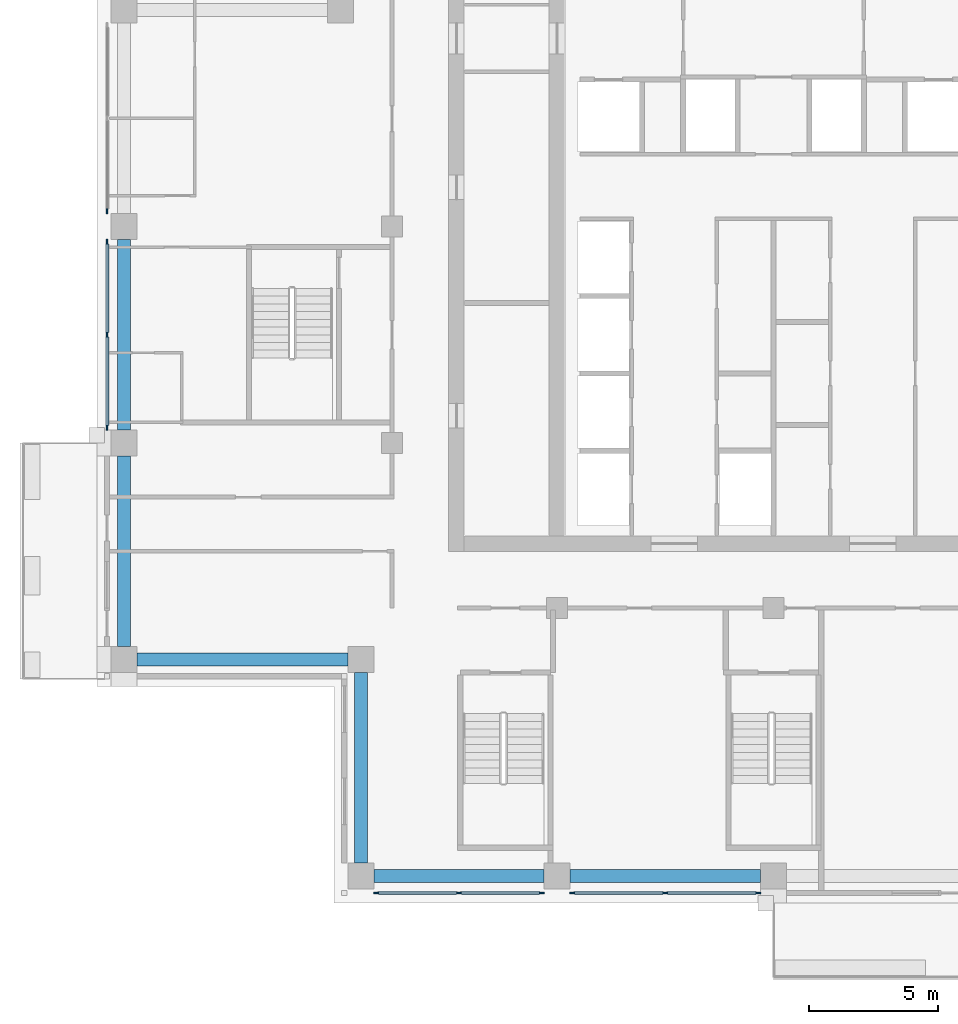
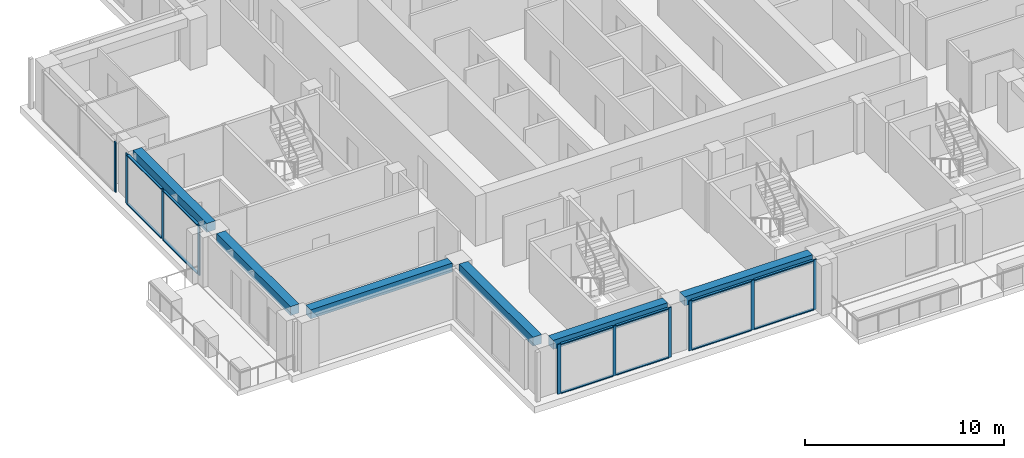
# One storey, part 2 of 17: 22 members, 6 beams, 4 elements without a shape of their own.
"""IFC4 building model written with IfcOpenShell, lengths in metres."""

from ifc_helpers import new_model, si_unit, direction, frame, origin, origin_2d, place, context, subcontext, project, spatial, rectangle, extrude, material, material_profile, profile_set, type_object, element, aggregate, save


model = new_model("IFC4")

# Units and contexts
model_context = context("Model", 3, precision=1e-05, world=origin(), true_north=direction((0.0, 1.0)))
body_context = subcontext(model_context, "Body", "Model", "MODEL_VIEW")
ifc_project = project(units=[si_unit("LENGTHUNIT", "METRE"), si_unit("AREAUNIT", "SQUARE_METRE"), si_unit("VOLUMEUNIT", "CUBIC_METRE"), si_unit("PLANEANGLEUNIT", "RADIAN"), si_unit("MASSUNIT", "GRAM", prefix="KILO")], contexts=[model_context])

# Site, building, storey
site_placement = place(None, origin())
site = spatial("IfcSite", under=ifc_project, at=site_placement, CompositionType="ELEMENT")
building_placement = place(site_placement, origin())
building = spatial("IfcBuilding", under=site, at=building_placement, Name="Vermilion Ogive Tower", CompositionType="ELEMENT")
storey_placement = place(building_placement, frame((0.0, 0.0, 189.35009765625)))
storey = spatial("IfcBuildingStorey", under=building, at=storey_placement, Name="L49", CompositionType="ELEMENT", Elevation=189.35009765625)

# Curtain wall, members
ifc_material_1 = material(Name="Low-iron laminated glazing in aluminium frame", Category="aluminium")
curtain_wall_type = type_object("IfcCurtainWallType", Name="Curtain wall CW7", PredefinedType="NOTDEFINED", material=ifc_material_1)
curtain_wall_1_placement = place(storey_placement, origin())
curtain_wall_1 = element("IfcCurtainWall", 1, at=curtain_wall_1_placement, inside=storey, type_object=curtain_wall_type, Name="Glazed skin S1", PredefinedType="NOTDEFINED")
ifc_material_2 = material(Name="Aluminium mullion", Category="aluminium")
ifc_material_profile_1 = material_profile(ifc_material_2, rectangle(XDim=0.06005859375, YDim=0.179931640625, at=origin_2d()), Name="AL 60x180")
ifc_profile_set_1 = profile_set([ifc_material_profile_1], Name="Aluminium mullion")
member_type_1 = type_object("IfcMemberType", Name="CW7 mullion 60x180", PredefinedType="MULLION", material=ifc_profile_set_1)
member_1_placement = place(storey_placement, frame((-15.409912109375, -21.64990234375, 0.0), z_axis=(0.0, 0.0, 1.0), x_axis=(0.0, 1.0, 0.0)))
member_1 = element("IfcMember", 2, at=member_1_placement, type_object=member_type_1, Name="CW7-S1 mullion 1", PredefinedType="MULLION", context=body_context, shape_type="SweptSolid", body=[
    extrude(rectangle(XDim=0.06005859375, YDim=0.179931640625, at=origin_2d()), origin(), (0.0, 0.0, 1.0), 3.0498046875),
])
member_2_placement = place(storey_placement, frame((-12.199951171875, -21.64990234375, 0.0), z_axis=(0.0, 0.0, 1.0), x_axis=(0.0, 1.0, 0.0)))
member_2 = element("IfcMember", 3, at=member_2_placement, type_object=member_type_1, Name="CW7-S1 mullion 2", PredefinedType="MULLION", context=body_context, shape_type="SweptSolid", body=[
    extrude(rectangle(XDim=0.06005859375, YDim=0.179931640625, at=origin_2d()), origin(), (0.0, 0.0, 1.0), 3.0498046875),
])
member_3_placement = place(storey_placement, frame((-8.989990234375, -21.64990234375, 0.0), z_axis=(0.0, 0.0, 1.0), x_axis=(0.0, 1.0, 0.0)))
member_3 = element("IfcMember", 4, at=member_3_placement, type_object=member_type_1, Name="CW7-S1 mullion 3", PredefinedType="MULLION", context=body_context, shape_type="SweptSolid", body=[
    extrude(rectangle(XDim=0.06005859375, YDim=0.179931640625, at=origin_2d()), origin(), (0.0, 0.0, 1.0), 3.0498046875),
])

curtain_wall_2_placement = place(storey_placement, origin())
curtain_wall_2 = element("IfcCurtainWall", 5, at=curtain_wall_2_placement, inside=storey, type_object=curtain_wall_type, Name="Glazed skin S2", PredefinedType="NOTDEFINED")
member_4_placement = place(storey_placement, frame((-7.81005859375, -21.64990234375, 0.0), z_axis=(0.0, 0.0, 1.0), x_axis=(0.0, 1.0, 0.0)))
member_4 = element("IfcMember", 6, at=member_4_placement, type_object=member_type_1, Name="CW7-S2 mullion 1", PredefinedType="MULLION", context=body_context, shape_type="SweptSolid", body=[
    extrude(rectangle(XDim=0.06005859375, YDim=0.179931640625, at=origin_2d()), origin(), (0.0, 0.0, 1.0), 3.0498046875),
])
member_5_placement = place(storey_placement, frame((-4.199951171875, -21.64990234375, 0.0), z_axis=(0.0, 0.0, 1.0), x_axis=(0.0, 1.0, 0.0)))
member_5 = element("IfcMember", 7, at=member_5_placement, type_object=member_type_1, Name="CW7-S2 mullion 2", PredefinedType="MULLION", context=body_context, shape_type="SweptSolid", body=[
    extrude(rectangle(XDim=0.06005859375, YDim=0.179931640625, at=origin_2d()), origin(), (0.0, 0.0, 1.0), 3.0498046875),
])
member_6_placement = place(storey_placement, frame((-0.590087890625, -21.64990234375, 0.0), z_axis=(0.0, 0.0, 1.0), x_axis=(0.0, 1.0, 0.0)))
member_6 = element("IfcMember", 8, at=member_6_placement, type_object=member_type_1, Name="CW7-S2 mullion 3", PredefinedType="MULLION", context=body_context, shape_type="SweptSolid", body=[
    extrude(rectangle(XDim=0.06005859375, YDim=0.179931640625, at=origin_2d()), origin(), (0.0, 0.0, 1.0), 3.0498046875),
])

# Curtain wall, member
curtain_wall_3_placement = place(storey_placement, origin())
curtain_wall_3 = element("IfcCurtainWall", 9, at=curtain_wall_3_placement, inside=storey, type_object=curtain_wall_type, Name="Glazed skin W1", PredefinedType="NOTDEFINED")
member_7_placement = place(storey_placement, frame((-25.85009765625, 4.7900390625, 0.0), z_axis=(0.0, 0.0, 1.0), x_axis=(1.0, 0.0, 0.0)))
member_7 = element("IfcMember", 10, at=member_7_placement, type_object=member_type_1, Name="CW7-W1 mullion 3", PredefinedType="MULLION", context=body_context, shape_type="SweptSolid", body=[
    extrude(rectangle(XDim=0.06005859375, YDim=0.179931640625, at=origin_2d()), origin(), (0.0, 0.0, 1.0), 3.0498046875),
])
aggregate(curtain_wall_3, [member_7])

# Curtain wall, members
curtain_wall_4_placement = place(storey_placement, origin())
curtain_wall_4 = element("IfcCurtainWall", 11, at=curtain_wall_4_placement, inside=storey, type_object=curtain_wall_type, Name="Glazed skin W2", PredefinedType="NOTDEFINED")
member_8_placement = place(storey_placement, frame((-25.85009765625, 3.610107421875, 0.0), z_axis=(0.0, 0.0, 1.0), x_axis=(1.0, 0.0, 0.0)))
member_8 = element("IfcMember", 12, at=member_8_placement, type_object=member_type_1, Name="CW7-W2 mullion 1", PredefinedType="MULLION", context=body_context, shape_type="SweptSolid", body=[
    extrude(rectangle(XDim=0.06005859375, YDim=0.179931640625, at=origin_2d()), origin(), (0.0, 0.0, 1.0), 3.0498046875),
])
member_9_placement = place(storey_placement, frame((-25.85009765625, 0.0, 0.0), z_axis=(0.0, 0.0, 1.0), x_axis=(1.0, 0.0, 0.0)))
member_9 = element("IfcMember", 13, at=member_9_placement, type_object=member_type_1, Name="CW7-W2 mullion 2", PredefinedType="MULLION", context=body_context, shape_type="SweptSolid", body=[
    extrude(rectangle(XDim=0.06005859375, YDim=0.179931640625, at=origin_2d()), origin(), (0.0, 0.0, 1.0), 3.0498046875),
])
member_10_placement = place(storey_placement, frame((-25.85009765625, -3.610107421875, 0.0), z_axis=(0.0, 0.0, 1.0), x_axis=(1.0, 0.0, 0.0)))
member_10 = element("IfcMember", 14, at=member_10_placement, type_object=member_type_1, Name="CW7-W2 mullion 3", PredefinedType="MULLION", context=body_context, shape_type="SweptSolid", body=[
    extrude(rectangle(XDim=0.06005859375, YDim=0.179931640625, at=origin_2d()), origin(), (0.0, 0.0, 1.0), 3.0498046875),
])

# Member
ifc_material_3 = material(Name="Aluminium transom", Category="aluminium")
ifc_material_profile_2 = material_profile(ifc_material_3, rectangle(XDim=0.139892578125, YDim=0.06005859375, at=origin_2d()), Name="AL 60x140")
ifc_profile_set_2 = profile_set([ifc_material_profile_2], Name="Aluminium transom")
member_type_2 = type_object("IfcMemberType", Name="CW7 transom 60x140", PredefinedType="USERDEFINED", material=ifc_profile_set_2)
member_11_placement = place(storey_placement, frame((-15.320068359375, -21.64990234375, 0.02978515625), z_axis=(1.0, 0.0, 0.0), x_axis=(0.0, 1.0, 0.0)))
member_11 = element("IfcMember", 15, at=member_11_placement, type_object=member_type_2, Name="CW7-S1 transom 1.1", ObjectType="TRANSOM", PredefinedType="USERDEFINED", context=body_context, shape_type="SweptSolid", body=[
    extrude(rectangle(XDim=0.139892578125, YDim=0.06005859375, at=origin_2d()), origin(), (0.0, 0.0, 1.0), 3.030029296875),
])

member_12_placement = place(storey_placement, frame((-15.320068359375, -21.64990234375, 3.02001953125), z_axis=(1.0, 0.0, 0.0), x_axis=(0.0, 1.0, 0.0)))
member_12 = element("IfcMember", 16, at=member_12_placement, type_object=member_type_2, Name="CW7-S1 transom 1.2", ObjectType="TRANSOM", PredefinedType="USERDEFINED", context=body_context, shape_type="SweptSolid", body=[
    extrude(rectangle(XDim=0.139892578125, YDim=0.06005859375, at=origin_2d()), origin(), (0.0, 0.0, 1.0), 3.030029296875),
])

member_13_placement = place(storey_placement, frame((-12.110107421875, -21.64990234375, 0.02978515625), z_axis=(1.0, 0.0, 0.0), x_axis=(0.0, 1.0, 0.0)))
member_13 = element("IfcMember", 17, at=member_13_placement, type_object=member_type_2, Name="CW7-S1 transom 2.1", ObjectType="TRANSOM", PredefinedType="USERDEFINED", context=body_context, shape_type="SweptSolid", body=[
    extrude(rectangle(XDim=0.139892578125, YDim=0.06005859375, at=origin_2d()), origin(), (0.0, 0.0, 1.0), 3.030029296875),
])

member_14_placement = place(storey_placement, frame((-12.110107421875, -21.64990234375, 3.02001953125), z_axis=(1.0, 0.0, 0.0), x_axis=(0.0, 1.0, 0.0)))
member_14 = element("IfcMember", 18, at=member_14_placement, type_object=member_type_2, Name="CW7-S1 transom 2.2", ObjectType="TRANSOM", PredefinedType="USERDEFINED", context=body_context, shape_type="SweptSolid", body=[
    extrude(rectangle(XDim=0.139892578125, YDim=0.06005859375, at=origin_2d()), origin(), (0.0, 0.0, 1.0), 3.030029296875),
])

aggregate(curtain_wall_1, [member_1, member_2, member_3, member_11, member_12, member_13, member_14])

member_15_placement = place(storey_placement, frame((-7.719970703125, -21.64990234375, 0.02978515625), z_axis=(1.0, 0.0, 0.0), x_axis=(0.0, 1.0, 0.0)))
member_15 = element("IfcMember", 19, at=member_15_placement, type_object=member_type_2, Name="CW7-S2 transom 1.1", ObjectType="TRANSOM", PredefinedType="USERDEFINED", context=body_context, shape_type="SweptSolid", body=[
    extrude(rectangle(XDim=0.139892578125, YDim=0.06005859375, at=origin_2d()), origin(), (0.0, 0.0, 1.0), 3.429931640625),
])

member_16_placement = place(storey_placement, frame((-7.719970703125, -21.64990234375, 3.02001953125), z_axis=(1.0, 0.0, 0.0), x_axis=(0.0, 1.0, 0.0)))
member_16 = element("IfcMember", 20, at=member_16_placement, type_object=member_type_2, Name="CW7-S2 transom 1.2", ObjectType="TRANSOM", PredefinedType="USERDEFINED", context=body_context, shape_type="SweptSolid", body=[
    extrude(rectangle(XDim=0.139892578125, YDim=0.06005859375, at=origin_2d()), origin(), (0.0, 0.0, 1.0), 3.429931640625),
])

member_17_placement = place(storey_placement, frame((-4.110107421875, -21.64990234375, 0.02978515625), z_axis=(1.0, 0.0, 0.0), x_axis=(0.0, 1.0, 0.0)))
member_17 = element("IfcMember", 21, at=member_17_placement, type_object=member_type_2, Name="CW7-S2 transom 2.1", ObjectType="TRANSOM", PredefinedType="USERDEFINED", context=body_context, shape_type="SweptSolid", body=[
    extrude(rectangle(XDim=0.139892578125, YDim=0.06005859375, at=origin_2d()), origin(), (0.0, 0.0, 1.0), 3.43017578125),
])

member_18_placement = place(storey_placement, frame((-4.110107421875, -21.64990234375, 3.02001953125), z_axis=(1.0, 0.0, 0.0), x_axis=(0.0, 1.0, 0.0)))
member_18 = element("IfcMember", 22, at=member_18_placement, type_object=member_type_2, Name="CW7-S2 transom 2.2", ObjectType="TRANSOM", PredefinedType="USERDEFINED", context=body_context, shape_type="SweptSolid", body=[
    extrude(rectangle(XDim=0.139892578125, YDim=0.06005859375, at=origin_2d()), origin(), (0.0, 0.0, 1.0), 3.43017578125),
])

aggregate(curtain_wall_2, [member_4, member_5, member_6, member_15, member_16, member_17, member_18])

member_19_placement = place(storey_placement, frame((-25.85009765625, 3.52001953125, 0.02978515625), z_axis=(0.0, -1.0, 0.0), x_axis=(1.0, 0.0, 0.0)))
member_19 = element("IfcMember", 23, at=member_19_placement, type_object=member_type_2, Name="CW7-W2 transom 1.1", ObjectType="TRANSOM", PredefinedType="USERDEFINED", context=body_context, shape_type="SweptSolid", body=[
    extrude(rectangle(XDim=0.139892578125, YDim=0.06005859375, at=origin_2d()), origin(), (0.0, 0.0, 1.0), 3.429931640625),
])

member_20_placement = place(storey_placement, frame((-25.85009765625, 3.52001953125, 3.02001953125), z_axis=(0.0, -1.0, 0.0), x_axis=(1.0, 0.0, 0.0)))
member_20 = element("IfcMember", 24, at=member_20_placement, type_object=member_type_2, Name="CW7-W2 transom 1.2", ObjectType="TRANSOM", PredefinedType="USERDEFINED", context=body_context, shape_type="SweptSolid", body=[
    extrude(rectangle(XDim=0.139892578125, YDim=0.06005859375, at=origin_2d()), origin(), (0.0, 0.0, 1.0), 3.429931640625),
])

member_21_placement = place(storey_placement, frame((-25.85009765625, -0.090087890625, 0.02978515625), z_axis=(0.0, -1.0, 0.0), x_axis=(1.0, 0.0, 0.0)))
member_21 = element("IfcMember", 25, at=member_21_placement, type_object=member_type_2, Name="CW7-W2 transom 2.1", ObjectType="TRANSOM", PredefinedType="USERDEFINED", context=body_context, shape_type="SweptSolid", body=[
    extrude(rectangle(XDim=0.139892578125, YDim=0.06005859375, at=origin_2d()), origin(), (0.0, 0.0, 1.0), 3.429931640625),
])

member_22_placement = place(storey_placement, frame((-25.85009765625, -0.090087890625, 3.02001953125), z_axis=(0.0, -1.0, 0.0), x_axis=(1.0, 0.0, 0.0)))
member_22 = element("IfcMember", 26, at=member_22_placement, type_object=member_type_2, Name="CW7-W2 transom 2.2", ObjectType="TRANSOM", PredefinedType="USERDEFINED", context=body_context, shape_type="SweptSolid", body=[
    extrude(rectangle(XDim=0.139892578125, YDim=0.06005859375, at=origin_2d()), origin(), (0.0, 0.0, 1.0), 3.429931640625),
])

aggregate(curtain_wall_4, [member_8, member_9, member_10, member_19, member_20, member_21, member_22])

# Beams
ifc_material_4 = material(Name="Concrete B45", Category="concrete")
ifc_material_profile_3 = material_profile(ifc_material_4, rectangle(XDim=0.5, YDim=0.550048828125, at=origin_2d()), Name="500 x 550")
ifc_profile_set_3 = profile_set([ifc_material_profile_3], Name="Concrete B45")
beam_type = type_object("IfcBeamType", Name="Edge beam 500 x 550 B45", PredefinedType="BEAM", material=ifc_profile_set_3)
beam_1_placement = place(storey_placement, frame((-15.5, -21.0, 2.77490234375), z_axis=(1.0, 0.0, 0.0), x_axis=(0.0, 1.0, 0.0)))
element("IfcBeam", 27, at=beam_1_placement, inside=storey, type_object=beam_type, Name="L49-EB-1", PredefinedType="BEAM", context=body_context, shape_type="SweptSolid", body=[
    extrude(rectangle(XDim=0.5, YDim=0.550048828125, at=origin_2d()), origin(), (0.0, 0.0, 1.0), 6.60009765625),
])
for number, where, z_axis, x_axis, name in (
    (28, (-7.89990234375, -21.0, 2.77490234375), (1.0, 0.0, 0.0), (0.0, 1.0, 0.0), "L49-EB-2"),
    (29, (-25.199951171875, 3.699951171875, 2.77490234375), (0.0, -1.0, 0.0), (1.0, 0.0, 0.0), "L49-EB-15"),
):
    element("IfcBeam", number, at=place(storey_placement, frame(where, z_axis=z_axis, x_axis=x_axis)), inside=storey, type_object=beam_type, Name=name, PredefinedType="BEAM", context=body_context, shape_type="SweptSolid", body=[
        extrude(rectangle(XDim=0.5, YDim=0.550048828125, at=origin_2d()), origin(), (0.0, 0.0, 1.0), 7.39990234375),
    ])
beam_2_placement = place(storey_placement, frame((-25.199951171875, -4.699951171875, 2.77490234375), z_axis=(0.0, -1.0, 0.0), x_axis=(1.0, 0.0, 0.0)))
element("IfcBeam", 30, at=beam_2_placement, inside=storey, type_object=beam_type, Name="L49-EB-16", PredefinedType="BEAM", context=body_context, shape_type="SweptSolid", body=[
    extrude(rectangle(XDim=0.5, YDim=0.550048828125, at=origin_2d()), origin(), (0.0, 0.0, 1.0), 7.400146484375),
])
beam_3_placement = place(storey_placement, frame((-24.699951171875, -12.60009765625, 2.77490234375), z_axis=(1.0, 0.0, 0.0), x_axis=(0.0, 1.0, 0.0)))
element("IfcBeam", 31, at=beam_3_placement, inside=storey, type_object=beam_type, Name="L49-EB-17", PredefinedType="BEAM", context=body_context, shape_type="SweptSolid", body=[
    extrude(rectangle(XDim=0.5, YDim=0.550048828125, at=origin_2d()), origin(), (0.0, 0.0, 1.0), 8.199951171875),
])
beam_4_placement = place(storey_placement, frame((-16.0, -13.10009765625, 2.77490234375), z_axis=(0.0, -1.0, 0.0), x_axis=(1.0, 0.0, 0.0)))
element("IfcBeam", 32, at=beam_4_placement, inside=storey, type_object=beam_type, Name="L49-EB-18", PredefinedType="BEAM", context=body_context, shape_type="SweptSolid", body=[
    extrude(rectangle(XDim=0.5, YDim=0.550048828125, at=origin_2d()), origin(), (0.0, 0.0, 1.0), 7.39990234375),
])

save(model, "model.ifc")
